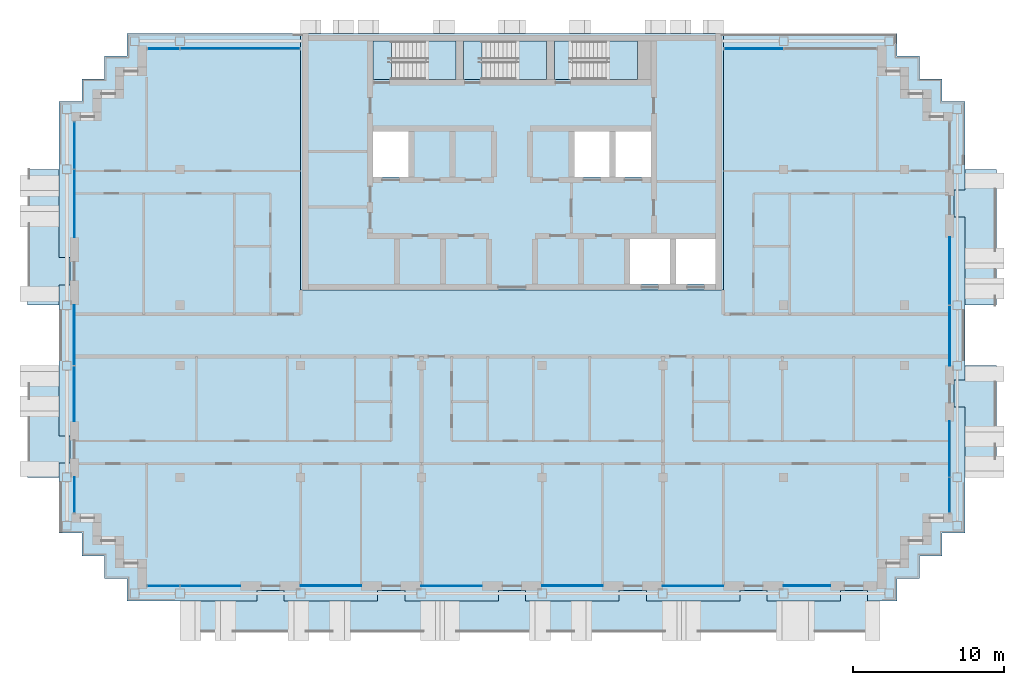
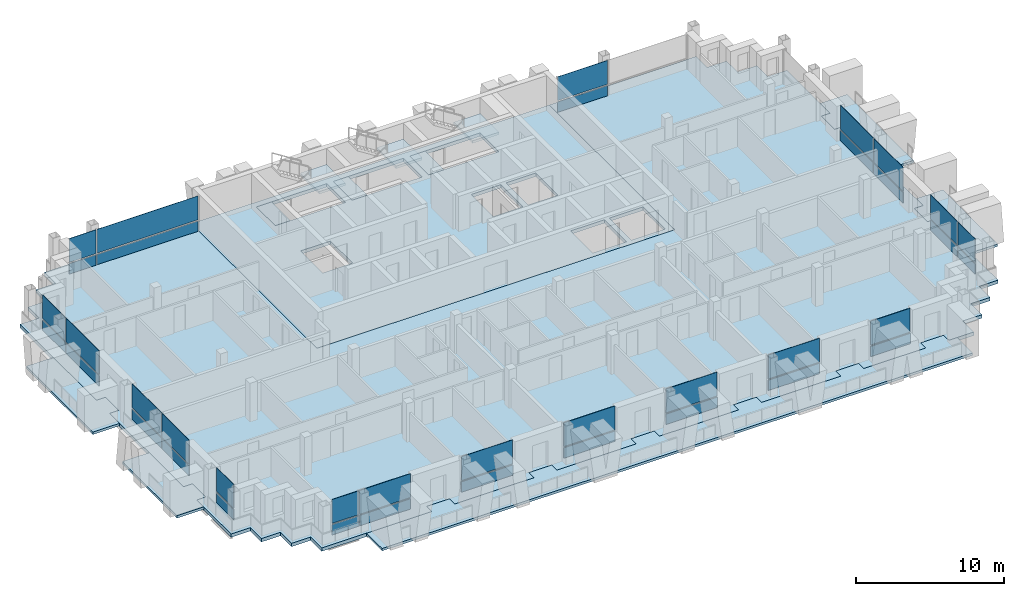
# One storey, part 6 of 15: 38 plates, 13 slabs, 16 elements without a shape of their own.
"""IFC4 building model written with IfcOpenShell, lengths in metres."""

from ifc_helpers import new_model, si_unit, direction, frame, origin, origin_2d, place, context, subcontext, project, spatial, polyline, rectangle, outline, extrude, material, layer, layer_set, type_object, element, aggregate, save


model = new_model("IFC4")

# Units and contexts
model_context = context("Model", 3, precision=1e-05, world=origin(), true_north=direction((0.0, 1.0)))
body_context = subcontext(model_context, "Body", "Model", "MODEL_VIEW")
ifc_project = project(units=[si_unit("LENGTHUNIT", "METRE"), si_unit("AREAUNIT", "SQUARE_METRE"), si_unit("VOLUMEUNIT", "CUBIC_METRE"), si_unit("PLANEANGLEUNIT", "RADIAN"), si_unit("MASSUNIT", "GRAM", prefix="KILO")], contexts=[model_context])

# Site, building, storey
site_placement = place(None, origin())
site = spatial("IfcSite", under=ifc_project, at=site_placement, CompositionType="ELEMENT")
building_placement = place(site_placement, origin())
building = spatial("IfcBuilding", under=site, at=building_placement, Name="Vidyagriha Tower", CompositionType="ELEMENT")
storey_placement = place(building_placement, frame((0.0, 0.0, 226.800048828125)))
storey = spatial("IfcBuildingStorey", under=building, at=storey_placement, Name="L59", CompositionType="ELEMENT", Elevation=226.800048828125)

# Curtain wall, plate
ifc_material_1 = material(Name="Aluminium and glass curtain wall", Category="aluminium")
curtain_wall_type = type_object("IfcCurtainWallType", Name="Dwelling skin unitised curtain wall", PredefinedType="USERDEFINED", material=ifc_material_1)
curtain_wall_1_placement = place(storey_placement, origin())
curtain_wall_1 = element("IfcCurtainWall", 1, at=curtain_wall_1_placement, inside=storey, type_object=curtain_wall_type, Name="CW1 dwelling skin", ObjectType="UNITISED", PredefinedType="USERDEFINED")
ifc_material_2 = material(Name="Glass dark ceramic-fritted spandrel", Category="glass")
ifc_layer_1 = layer(ifc_material_2, 0.0400390625)
ifc_layer_set_1 = layer_set([ifc_layer_1], Name="Glass dark ceramic-fritted spandrel")
plate_type_1 = type_object("IfcPlateType", Name="Ceramic-fritted spandrel panel", PredefinedType="CURTAIN_PANEL", material=ifc_layer_set_1)
plate_1_placement = place(storey_placement, frame((-18.017578125, 19.0, 0.0), z_axis=(0.0, 0.0, 1.0), x_axis=(-1.0, 0.0, 0.0)))
plate_1 = element("IfcPlate", 2, at=plate_1_placement, type_object=plate_type_1, Name="CW1 panel 1.1", PredefinedType="CURTAIN_PANEL", context=body_context, shape_type="SweptSolid", body=[
    extrude(rectangle(XDim=7.89501953125, YDim=0.0400390625, at=origin_2d()), origin(), (0.0, 0.0, 1.0), 0.85009765625),
])

# Curtain wall, plates
curtain_wall_2_placement = place(storey_placement, origin())
curtain_wall_2 = element("IfcCurtainWall", 3, at=curtain_wall_2_placement, inside=storey, type_object=curtain_wall_type, Name="CW1 dwelling skin", ObjectType="UNITISED", PredefinedType="USERDEFINED")
plate_2_placement = place(storey_placement, frame((-29.0, 12.58251953125, 0.0), z_axis=(0.0, 0.0, 1.0), x_axis=(0.0, -1.0, 0.0)))
plate_2 = element("IfcPlate", 4, at=plate_2_placement, type_object=plate_type_1, Name="CW1 panel 1.1", PredefinedType="CURTAIN_PANEL", context=body_context, shape_type="SweptSolid", body=[
    extrude(rectangle(XDim=3.094970703125, YDim=0.0400390625, at=origin_2d()), origin(), (0.0, 0.0, 1.0), 0.85009765625),
])
plate_3_placement = place(storey_placement, frame((-29.0, 8.732421875, 0.0), z_axis=(0.0, 0.0, 1.0), x_axis=(0.0, -1.0, 0.0)))
plate_3 = element("IfcPlate", 5, at=plate_3_placement, type_object=plate_type_1, Name="CW1 panel 2.1", PredefinedType="CURTAIN_PANEL", context=body_context, shape_type="SweptSolid", body=[
    extrude(rectangle(XDim=4.465087890625, YDim=0.0400390625, at=origin_2d()), origin(), (0.0, 0.0, 1.0), 0.85009765625),
])

# Curtain wall, plate
curtain_wall_3_placement = place(storey_placement, origin())
curtain_wall_3 = element("IfcCurtainWall", 6, at=curtain_wall_3_placement, inside=storey, type_object=curtain_wall_type, Name="CW1 dwelling skin", ObjectType="UNITISED", PredefinedType="USERDEFINED")
plate_4_placement = place(storey_placement, frame((-29.0, -10.56494140625, 0.0), z_axis=(0.0, 0.0, 1.0), x_axis=(0.0, -1.0, 0.0)))
plate_4 = element("IfcPlate", 7, at=plate_4_placement, type_object=plate_type_1, Name="CW1 panel 1.1", PredefinedType="CURTAIN_PANEL", context=body_context, shape_type="SweptSolid", body=[
    extrude(rectangle(XDim=2.330078125, YDim=0.0400390625, at=origin_2d()), origin(), (0.0, 0.0, 1.0), 0.85009765625),
])

# Curtain wall, plates
curtain_wall_4_placement = place(storey_placement, origin())
curtain_wall_4 = element("IfcCurtainWall", 8, at=curtain_wall_4_placement, inside=storey, type_object=curtain_wall_type, Name="CW1 dwelling skin", ObjectType="UNITISED", PredefinedType="USERDEFINED")
plate_5_placement = place(storey_placement, frame((-23.08251953125, -16.60009765625, 0.0)))
plate_5 = element("IfcPlate", 9, at=plate_5_placement, type_object=plate_type_1, Name="CW1 panel 1.1", PredefinedType="CURTAIN_PANEL", context=body_context, shape_type="SweptSolid", body=[
    extrude(rectangle(XDim=2.094970703125, YDim=0.0400390625, at=origin_2d()), origin(), (0.0, 0.0, 1.0), 0.85009765625),
])
plate_6_placement = place(storey_placement, frame((-19.982421875, -16.60009765625, 0.0)))
plate_6 = element("IfcPlate", 10, at=plate_6_placement, type_object=plate_type_1, Name="CW1 panel 2.1", PredefinedType="CURTAIN_PANEL", context=body_context, shape_type="SweptSolid", body=[
    extrude(rectangle(XDim=3.965087890625, YDim=0.0400390625, at=origin_2d()), origin(), (0.0, 0.0, 1.0), 0.85009765625),
])

# Curtain wall, plate
curtain_wall_5_placement = place(storey_placement, origin())
curtain_wall_5 = element("IfcCurtainWall", 11, at=curtain_wall_5_placement, inside=storey, type_object=curtain_wall_type, Name="CW1 dwelling skin", ObjectType="UNITISED", PredefinedType="USERDEFINED")
plate_7_placement = place(storey_placement, frame((-4.0, -16.60009765625, 0.0)))
plate_7 = element("IfcPlate", 12, at=plate_7_placement, type_object=plate_type_1, Name="CW1 panel 1.1", PredefinedType="CURTAIN_PANEL", context=body_context, shape_type="SweptSolid", body=[
    extrude(rectangle(XDim=4.0, YDim=0.0400390625, at=origin_2d()), origin(), (0.0, 0.0, 1.0), 0.85009765625),
])

curtain_wall_6_placement = place(storey_placement, origin())
curtain_wall_6 = element("IfcCurtainWall", 13, at=curtain_wall_6_placement, inside=storey, type_object=curtain_wall_type, Name="CW1 dwelling skin", ObjectType="UNITISED", PredefinedType="USERDEFINED")
plate_8_placement = place(storey_placement, frame((12.0, -16.60009765625, 0.0)))
plate_8 = element("IfcPlate", 14, at=plate_8_placement, type_object=plate_type_1, Name="CW1 panel 1.1", PredefinedType="CURTAIN_PANEL", context=body_context, shape_type="SweptSolid", body=[
    extrude(rectangle(XDim=4.0, YDim=0.0400390625, at=origin_2d()), origin(), (0.0, 0.0, 1.0), 0.85009765625),
])

# Curtain wall, plates
curtain_wall_7_placement = place(storey_placement, origin())
curtain_wall_7 = element("IfcCurtainWall", 15, at=curtain_wall_7_placement, inside=storey, type_object=curtain_wall_type, Name="CW1 dwelling skin", ObjectType="UNITISED", PredefinedType="USERDEFINED")
plate_9_placement = place(storey_placement, frame((29.0, -10.58251953125, 0.0), z_axis=(0.0, 0.0, 1.0), x_axis=(0.0, 1.0, 0.0)))
plate_9 = element("IfcPlate", 16, at=plate_9_placement, type_object=plate_type_1, Name="CW1 panel 1.1", PredefinedType="CURTAIN_PANEL", context=body_context, shape_type="SweptSolid", body=[
    extrude(rectangle(XDim=2.294921875, YDim=0.0400390625, at=origin_2d()), origin(), (0.0, 0.0, 1.0), 0.85009765625),
])
plate_10_placement = place(storey_placement, frame((29.0, -7.532470703125, 0.0), z_axis=(0.0, 0.0, 1.0), x_axis=(0.0, 1.0, 0.0)))
plate_10 = element("IfcPlate", 17, at=plate_10_placement, type_object=plate_type_1, Name="CW1 panel 2.1", PredefinedType="CURTAIN_PANEL", context=body_context, shape_type="SweptSolid", body=[
    extrude(rectangle(XDim=3.6650390625, YDim=0.0400390625, at=origin_2d()), origin(), (0.0, 0.0, 1.0), 0.85009765625),
])

# Slab
ifc_material_3 = material(Name="Concrete C60/75", Category="concrete")
ifc_layer_2 = layer(ifc_material_3, 0.280029296875)
ifc_layer_set_2 = layer_set([ifc_layer_2], Name="Concrete C60/75")
slab_type_1 = type_object("IfcSlabType", Name="Core floor slab 280 mm", PredefinedType="FLOOR", material=ifc_layer_set_2)
slab_1_placement = place(storey_placement, frame((0.0, 0.0, -0.280029296875)))
element("IfcSlab", 18, at=slab_1_placement, inside=storey, type_object=slab_type_1, Name="L59 core floor 1", PredefinedType="FLOOR", context=body_context, shape_type="SweptSolid", body=[
    extrude(outline(polyline([(-14.0, 3.0), (-14.0, 20.0), (14.0, 20.0), (14.0, 3.0), (-14.0, 3.0)]), holes=[polyline([(13.5, 6.39990234375), (10.855712890625, 6.39990234375), (10.855712890625, 3.39990234375), (13.5, 3.39990234375), (13.5, 6.39990234375)]), polyline([(10.45556640625, 6.39990234375), (7.81103515625, 6.39990234375), (7.81103515625, 3.39990234375), (10.45556640625, 3.39990234375), (10.45556640625, 6.39990234375)]), polyline([(9.199951171875, 13.5), (6.86669921875, 13.5), (6.86669921875, 10.5), (9.199951171875, 10.5), (9.199951171875, 13.5)]), polyline([(2.800048828125, 19.5), (2.800048828125, 16.949951171875), (4.0, 16.949951171875), (8.300048828125, 16.949951171875), (8.300048828125, 19.5), (4.0, 19.5), (2.800048828125, 19.5)]), polyline([(4.13330078125, 13.5), (4.13330078125, 10.5), (6.466796875, 10.5), (6.466796875, 13.5), (4.13330078125, 13.5)]), polyline([(-2.0, 19.5), (-3.199951171875, 19.5), (-3.199951171875, 16.949951171875), (-2.0, 16.949951171875), (2.300048828125, 16.949951171875), (2.300048828125, 19.5), (-2.0, 19.5)]), polyline([(-9.199951171875, 19.5), (-9.199951171875, 16.949951171875), (-8.0, 16.949951171875), (-3.699951171875, 16.949951171875), (-3.699951171875, 19.5), (-8.0, 19.5), (-9.199951171875, 19.5)]), polyline([(-9.199951171875, 13.5), (-9.199951171875, 10.5), (-6.86669921875, 10.5), (-6.86669921875, 13.5), (-9.199951171875, 13.5)])]), origin(), (0.0, 0.0, 1.0), 0.280029296875),
])

# Curtain wall, plate
curtain_wall_8_placement = place(storey_placement, origin())
curtain_wall_8 = element("IfcCurtainWall", 19, at=curtain_wall_8_placement, inside=storey, type_object=curtain_wall_type, Name="CW1 dwelling skin", ObjectType="UNITISED", PredefinedType="USERDEFINED")
ifc_material_4 = material(Name="Glass dark ceramic-fritted", Category="glass")
ifc_layer_3 = layer(ifc_material_4, 0.028076171875)
ifc_layer_set_3 = layer_set([ifc_layer_3], Name="Glass dark ceramic-fritted")
plate_type_2 = type_object("IfcPlateType", Name="Dark ceramic-fritted vision glass panel", PredefinedType="CURTAIN_PANEL", material=ifc_layer_set_3)
plate_11_placement = place(storey_placement, frame((16.017578125, 19.0, 0.9501953125), z_axis=(0.0, 0.0, 1.0), x_axis=(-1.0, 0.0, 0.0)))
plate_11 = element("IfcPlate", 20, at=plate_11_placement, type_object=plate_type_2, Name="CW1 panel 2.2", PredefinedType="CURTAIN_PANEL", context=body_context, shape_type="SweptSolid", body=[
    extrude(rectangle(XDim=3.89501953125, YDim=0.028076171875, at=origin_2d()), origin(), (0.0, 0.0, 1.0), 1.969970703125),
])

# Plate
plate_12_placement = place(storey_placement, frame((-18.017578125, 19.0, 0.9501953125), z_axis=(0.0, 0.0, 1.0), x_axis=(-1.0, 0.0, 0.0)))
plate_12 = element("IfcPlate", 21, at=plate_12_placement, type_object=plate_type_2, Name="CW1 panel 1.2", PredefinedType="CURTAIN_PANEL", context=body_context, shape_type="SweptSolid", body=[
    extrude(rectangle(XDim=7.89501953125, YDim=0.028076171875, at=origin_2d()), origin(), (0.0, 0.0, 1.0), 1.969970703125),
])

plate_13_placement = place(storey_placement, frame((-23.08251953125, 19.0, 0.9501953125), z_axis=(0.0, 0.0, 1.0), x_axis=(-1.0, 0.0, 0.0)))
plate_13 = element("IfcPlate", 22, at=plate_13_placement, type_object=plate_type_2, Name="CW1 panel 2.2", PredefinedType="CURTAIN_PANEL", context=body_context, shape_type="SweptSolid", body=[
    extrude(rectangle(XDim=2.094970703125, YDim=0.028076171875, at=origin_2d()), origin(), (0.0, 0.0, 1.0), 1.969970703125),
])

plate_14_placement = place(storey_placement, frame((-29.0, 12.58251953125, 0.9501953125), z_axis=(0.0, 0.0, 1.0), x_axis=(0.0, -1.0, 0.0)))
plate_14 = element("IfcPlate", 23, at=plate_14_placement, type_object=plate_type_2, Name="CW1 panel 1.2", PredefinedType="CURTAIN_PANEL", context=body_context, shape_type="SweptSolid", body=[
    extrude(rectangle(XDim=3.094970703125, YDim=0.028076171875, at=origin_2d()), origin(), (0.0, 0.0, 1.0), 1.969970703125),
])

plate_15_placement = place(storey_placement, frame((-29.0, 8.732421875, 0.9501953125), z_axis=(0.0, 0.0, 1.0), x_axis=(0.0, -1.0, 0.0)))
plate_15 = element("IfcPlate", 24, at=plate_15_placement, type_object=plate_type_2, Name="CW1 panel 2.2", PredefinedType="CURTAIN_PANEL", context=body_context, shape_type="SweptSolid", body=[
    extrude(rectangle(XDim=4.465087890625, YDim=0.028076171875, at=origin_2d()), origin(), (0.0, 0.0, 1.0), 1.969970703125),
])

aggregate(curtain_wall_2, [plate_2, plate_14, plate_3, plate_15])

# Curtain wall, plates
curtain_wall_9_placement = place(storey_placement, origin())
curtain_wall_9 = element("IfcCurtainWall", 25, at=curtain_wall_9_placement, inside=storey, type_object=curtain_wall_type, Name="CW1 dwelling skin", ObjectType="UNITISED", PredefinedType="USERDEFINED")
plate_16_placement = place(storey_placement, frame((-29.0, 0.017578125, 0.9501953125), z_axis=(0.0, 0.0, 1.0), x_axis=(0.0, -1.0, 0.0)))
plate_16 = element("IfcPlate", 26, at=plate_16_placement, type_object=plate_type_2, Name="CW1 panel 1.2", PredefinedType="CURTAIN_PANEL", context=body_context, shape_type="SweptSolid", body=[
    extrude(rectangle(XDim=3.965087890625, YDim=0.028076171875, at=origin_2d()), origin(), (0.0, 0.0, 1.0), 1.969970703125),
])
plate_17_placement = place(storey_placement, frame((-29.0, -3.867431640625, 0.9501953125), z_axis=(0.0, 0.0, 1.0), x_axis=(0.0, -1.0, 0.0)))
plate_17 = element("IfcPlate", 27, at=plate_17_placement, type_object=plate_type_2, Name="CW1 panel 2.2", PredefinedType="CURTAIN_PANEL", context=body_context, shape_type="SweptSolid", body=[
    extrude(rectangle(XDim=3.6650390625, YDim=0.028076171875, at=origin_2d()), origin(), (0.0, 0.0, 1.0), 1.969970703125),
])

# Plate
plate_18_placement = place(storey_placement, frame((-29.0, -10.56494140625, 0.9501953125), z_axis=(0.0, 0.0, 1.0), x_axis=(0.0, -1.0, 0.0)))
plate_18 = element("IfcPlate", 28, at=plate_18_placement, type_object=plate_type_2, Name="CW1 panel 1.2", PredefinedType="CURTAIN_PANEL", context=body_context, shape_type="SweptSolid", body=[
    extrude(rectangle(XDim=2.330078125, YDim=0.028076171875, at=origin_2d()), origin(), (0.0, 0.0, 1.0), 1.969970703125),
])

aggregate(curtain_wall_3, [plate_4, plate_18])

plate_19_placement = place(storey_placement, frame((-23.08251953125, -16.60009765625, 0.9501953125)))
plate_19 = element("IfcPlate", 29, at=plate_19_placement, type_object=plate_type_2, Name="CW1 panel 1.2", PredefinedType="CURTAIN_PANEL", context=body_context, shape_type="SweptSolid", body=[
    extrude(rectangle(XDim=2.094970703125, YDim=0.028076171875, at=origin_2d()), origin(), (0.0, 0.0, 1.0), 1.969970703125),
])

plate_20_placement = place(storey_placement, frame((-19.982421875, -16.60009765625, 0.9501953125)))
plate_20 = element("IfcPlate", 30, at=plate_20_placement, type_object=plate_type_2, Name="CW1 panel 2.2", PredefinedType="CURTAIN_PANEL", context=body_context, shape_type="SweptSolid", body=[
    extrude(rectangle(XDim=3.965087890625, YDim=0.028076171875, at=origin_2d()), origin(), (0.0, 0.0, 1.0), 1.969970703125),
])

aggregate(curtain_wall_4, [plate_5, plate_19, plate_6, plate_20])

# Curtain wall, plate
curtain_wall_10_placement = place(storey_placement, origin())
curtain_wall_10 = element("IfcCurtainWall", 31, at=curtain_wall_10_placement, inside=storey, type_object=curtain_wall_type, Name="CW1 dwelling skin", ObjectType="UNITISED", PredefinedType="USERDEFINED")
plate_21_placement = place(storey_placement, frame((-12.0, -16.60009765625, 0.9501953125)))
plate_21 = element("IfcPlate", 32, at=plate_21_placement, type_object=plate_type_2, Name="CW1 panel 1.2", PredefinedType="CURTAIN_PANEL", context=body_context, shape_type="SweptSolid", body=[
    extrude(rectangle(XDim=4.0, YDim=0.028076171875, at=origin_2d()), origin(), (0.0, 0.0, 1.0), 1.969970703125),
])

# Plate
plate_22_placement = place(storey_placement, frame((-4.0, -16.60009765625, 0.9501953125)))
plate_22 = element("IfcPlate", 33, at=plate_22_placement, type_object=plate_type_2, Name="CW1 panel 1.2", PredefinedType="CURTAIN_PANEL", context=body_context, shape_type="SweptSolid", body=[
    extrude(rectangle(XDim=4.0, YDim=0.028076171875, at=origin_2d()), origin(), (0.0, 0.0, 1.0), 1.969970703125),
])

aggregate(curtain_wall_5, [plate_7, plate_22])

# Curtain wall, plate
curtain_wall_11_placement = place(storey_placement, origin())
curtain_wall_11 = element("IfcCurtainWall", 34, at=curtain_wall_11_placement, inside=storey, type_object=curtain_wall_type, Name="CW1 dwelling skin", ObjectType="UNITISED", PredefinedType="USERDEFINED")
plate_23_placement = place(storey_placement, frame((4.0, -16.60009765625, 0.9501953125)))
plate_23 = element("IfcPlate", 35, at=plate_23_placement, type_object=plate_type_2, Name="CW1 panel 1.2", PredefinedType="CURTAIN_PANEL", context=body_context, shape_type="SweptSolid", body=[
    extrude(rectangle(XDim=4.0, YDim=0.028076171875, at=origin_2d()), origin(), (0.0, 0.0, 1.0), 1.969970703125),
])

# Plate
plate_24_placement = place(storey_placement, frame((12.0, -16.60009765625, 0.9501953125)))
plate_24 = element("IfcPlate", 36, at=plate_24_placement, type_object=plate_type_2, Name="CW1 panel 1.2", PredefinedType="CURTAIN_PANEL", context=body_context, shape_type="SweptSolid", body=[
    extrude(rectangle(XDim=4.0, YDim=0.028076171875, at=origin_2d()), origin(), (0.0, 0.0, 1.0), 1.969970703125),
])

aggregate(curtain_wall_6, [plate_8, plate_24])

# Curtain wall, plate
curtain_wall_12_placement = place(storey_placement, origin())
curtain_wall_12 = element("IfcCurtainWall", 37, at=curtain_wall_12_placement, inside=storey, type_object=curtain_wall_type, Name="CW1 dwelling skin", ObjectType="UNITISED", PredefinedType="USERDEFINED")
plate_25_placement = place(storey_placement, frame((19.550048828125, -16.60009765625, 0.9501953125)))
plate_25 = element("IfcPlate", 38, at=plate_25_placement, type_object=plate_type_2, Name="CW1 panel 1.2", PredefinedType="CURTAIN_PANEL", context=body_context, shape_type="SweptSolid", body=[
    extrude(rectangle(XDim=3.10009765625, YDim=0.028076171875, at=origin_2d()), origin(), (0.0, 0.0, 1.0), 1.969970703125),
])

# Plate
plate_26_placement = place(storey_placement, frame((29.0, -10.58251953125, 0.9501953125), z_axis=(0.0, 0.0, 1.0), x_axis=(0.0, 1.0, 0.0)))
plate_26 = element("IfcPlate", 39, at=plate_26_placement, type_object=plate_type_2, Name="CW1 panel 1.2", PredefinedType="CURTAIN_PANEL", context=body_context, shape_type="SweptSolid", body=[
    extrude(rectangle(XDim=2.294921875, YDim=0.028076171875, at=origin_2d()), origin(), (0.0, 0.0, 1.0), 1.969970703125),
])

plate_27_placement = place(storey_placement, frame((29.0, -7.532470703125, 0.9501953125), z_axis=(0.0, 0.0, 1.0), x_axis=(0.0, 1.0, 0.0)))
plate_27 = element("IfcPlate", 40, at=plate_27_placement, type_object=plate_type_2, Name="CW1 panel 2.2", PredefinedType="CURTAIN_PANEL", context=body_context, shape_type="SweptSolid", body=[
    extrude(rectangle(XDim=3.6650390625, YDim=0.028076171875, at=origin_2d()), origin(), (0.0, 0.0, 1.0), 1.969970703125),
])

aggregate(curtain_wall_7, [plate_9, plate_26, plate_10, plate_27])

# Curtain wall, plates
curtain_wall_13_placement = place(storey_placement, origin())
curtain_wall_13 = element("IfcCurtainWall", 41, at=curtain_wall_13_placement, inside=storey, type_object=curtain_wall_type, Name="CW1 dwelling skin", ObjectType="UNITISED", PredefinedType="USERDEFINED")
plate_28_placement = place(storey_placement, frame((29.0, -0.017578125, 0.9501953125), z_axis=(0.0, 0.0, 1.0), x_axis=(0.0, 1.0, 0.0)))
plate_28 = element("IfcPlate", 42, at=plate_28_placement, type_object=plate_type_2, Name="CW1 panel 1.2", PredefinedType="CURTAIN_PANEL", context=body_context, shape_type="SweptSolid", body=[
    extrude(rectangle(XDim=3.965087890625, YDim=0.028076171875, at=origin_2d()), origin(), (0.0, 0.0, 1.0), 1.969970703125),
])
plate_29_placement = place(storey_placement, frame((29.0, 4.267578125, 0.9501953125), z_axis=(0.0, 0.0, 1.0), x_axis=(0.0, 1.0, 0.0)))
plate_29 = element("IfcPlate", 43, at=plate_29_placement, type_object=plate_type_2, Name="CW1 panel 2.2", PredefinedType="CURTAIN_PANEL", context=body_context, shape_type="SweptSolid", body=[
    extrude(rectangle(XDim=4.465087890625, YDim=0.028076171875, at=origin_2d()), origin(), (0.0, 0.0, 1.0), 1.969970703125),
])

# Slabs
ifc_material_5 = material(Name="Concrete C40/50", Category="concrete")
ifc_layer_4 = layer(ifc_material_5, 0.280029296875)
ifc_layer_set_4 = layer_set([ifc_layer_4], Name="Concrete C40/50")
slab_type_2 = type_object("IfcSlabType", Name="Exit stair floor landing 280 mm", PredefinedType="LANDING", material=ifc_layer_set_4)
slab_2_placement = place(storey_placement, frame((0.0, 0.0, -0.280029296875)))
element("IfcSlab", 44, at=slab_2_placement, inside=storey, type_object=slab_type_2, Name="ST1 floor landing L59", PredefinedType="LANDING", context=body_context, shape_type="SweptSolid", body=[
    extrude(outline(polyline([(-9.199951171875, 16.949951171875), (-8.0, 16.949951171875), (-8.0, 19.5), (-9.199951171875, 19.5), (-9.199951171875, 16.949951171875)])), origin(), (0.0, 0.0, 1.0), 0.280029296875),
])
slab_3_placement = place(storey_placement, frame((0.0, 0.0, -0.280029296875)))
element("IfcSlab", 45, at=slab_3_placement, inside=storey, type_object=slab_type_2, Name="ST2 floor landing L59", PredefinedType="LANDING", context=body_context, shape_type="SweptSolid", body=[
    extrude(outline(polyline([(-3.199951171875, 16.949951171875), (-2.0, 16.949951171875), (-2.0, 19.5), (-3.199951171875, 19.5), (-3.199951171875, 16.949951171875)])), origin(), (0.0, 0.0, 1.0), 0.280029296875),
])
slab_4_placement = place(storey_placement, frame((0.0, 0.0, -0.280029296875)))
element("IfcSlab", 46, at=slab_4_placement, inside=storey, type_object=slab_type_2, Name="ST3 floor landing L59", PredefinedType="LANDING", context=body_context, shape_type="SweptSolid", body=[
    extrude(outline(polyline([(2.800048828125, 16.949951171875), (4.0, 16.949951171875), (4.0, 19.5), (2.800048828125, 19.5), (2.800048828125, 16.949951171875)])), origin(), (0.0, 0.0, 1.0), 0.280029296875),
])

# Stair, slab
ifc_material_6 = material(Name="Concrete C40/50", Category="concrete")
stair_type = type_object("IfcStairType", Name="Exit stair, half-turn, precast flights", PredefinedType="HALF_TURN_STAIR", material=ifc_material_6)
stair_1_placement = place(storey_placement, origin())
stair_1 = element("IfcStair", 47, at=stair_1_placement, inside=storey, type_object=stair_type, Name="L59 Exit Stair ST1", PredefinedType="HALF_TURN_STAIR")
ifc_material_7 = material(Name="Concrete C40/50", Category="concrete")
ifc_layer_5 = layer(ifc_material_7, 0.199951171875)
ifc_layer_set_5 = layer_set([ifc_layer_5], Name="Concrete C40/50")
slab_type_3 = type_object("IfcSlabType", Name="Exit stair landing 200 mm", PredefinedType="LANDING", material=ifc_layer_set_5)
slab_5_placement = place(storey_placement, frame((0.0, 0.0, 1.39990234375)))
slab_5 = element("IfcSlab", 48, at=slab_5_placement, type_object=slab_type_3, Name="ST1 landing 1", PredefinedType="LANDING", context=body_context, shape_type="SweptSolid", body=[
    extrude(outline(polyline([(-5.760009765625, 16.949951171875), (-3.699951171875, 16.949951171875), (-3.699951171875, 19.5), (-5.760009765625, 19.5), (-5.760009765625, 16.949951171875)])), origin(), (0.0, 0.0, 1.0), 0.199951171875),
])
aggregate(stair_1, [slab_5])

stair_2_placement = place(storey_placement, origin())
stair_2 = element("IfcStair", 49, at=stair_2_placement, inside=storey, type_object=stair_type, Name="L59 Exit Stair ST2", PredefinedType="HALF_TURN_STAIR")
slab_6_placement = place(storey_placement, frame((0.0, 0.0, 1.39990234375)))
slab_6 = element("IfcSlab", 50, at=slab_6_placement, type_object=slab_type_3, Name="ST2 landing 1", PredefinedType="LANDING", context=body_context, shape_type="SweptSolid", body=[
    extrude(outline(polyline([(0.239990234375, 16.949951171875), (2.300048828125, 16.949951171875), (2.300048828125, 19.5), (0.239990234375, 19.5), (0.239990234375, 16.949951171875)])), origin(), (0.0, 0.0, 1.0), 0.199951171875),
])
aggregate(stair_2, [slab_6])

stair_3_placement = place(storey_placement, origin())
stair_3 = element("IfcStair", 51, at=stair_3_placement, inside=storey, type_object=stair_type, Name="L59 Exit Stair ST3", PredefinedType="HALF_TURN_STAIR")
slab_7_placement = place(storey_placement, frame((0.0, 0.0, 1.39990234375)))
slab_7 = element("IfcSlab", 52, at=slab_7_placement, type_object=slab_type_3, Name="ST3 landing 1", PredefinedType="LANDING", context=body_context, shape_type="SweptSolid", body=[
    extrude(outline(polyline([(6.239990234375, 16.949951171875), (8.300048828125, 16.949951171875), (8.300048828125, 19.5), (6.239990234375, 19.5), (6.239990234375, 16.949951171875)])), origin(), (0.0, 0.0, 1.0), 0.199951171875),
])
aggregate(stair_3, [slab_7])

# Plate
ifc_material_8 = material(Name="Aluminium black anodised", Category="aluminium")
ifc_layer_6 = layer(ifc_material_8, 0.06005859375)
ifc_layer_set_6 = layer_set([ifc_layer_6], Name="Aluminium black anodised")
plate_type_3 = type_object("IfcPlateType", Name="Operable black-metal vent panel", PredefinedType="CURTAIN_PANEL", material=ifc_layer_set_6)
plate_30_placement = place(storey_placement, frame((16.017578125, 19.0, 0.0), z_axis=(0.0, 0.0, 1.0), x_axis=(-1.0, 0.0, 0.0)))
plate_30 = element("IfcPlate", 53, at=plate_30_placement, type_object=plate_type_3, Name="CW1 panel 2.1", PredefinedType="CURTAIN_PANEL", context=body_context, shape_type="SweptSolid", body=[
    extrude(rectangle(XDim=3.89501953125, YDim=0.06005859375, at=origin_2d()), origin(), (0.0, 0.0, 1.0), 0.85009765625),
])

aggregate(curtain_wall_8, [plate_30, plate_11])

plate_31_placement = place(storey_placement, frame((-23.08251953125, 19.0, 0.0), z_axis=(0.0, 0.0, 1.0), x_axis=(-1.0, 0.0, 0.0)))
plate_31 = element("IfcPlate", 54, at=plate_31_placement, type_object=plate_type_3, Name="CW1 panel 2.1", PredefinedType="CURTAIN_PANEL", context=body_context, shape_type="SweptSolid", body=[
    extrude(rectangle(XDim=2.094970703125, YDim=0.06005859375, at=origin_2d()), origin(), (0.0, 0.0, 1.0), 0.85009765625),
])

aggregate(curtain_wall_1, [plate_1, plate_12, plate_31, plate_13])

plate_32_placement = place(storey_placement, frame((-29.0, 0.017578125, 0.0), z_axis=(0.0, 0.0, 1.0), x_axis=(0.0, -1.0, 0.0)))
plate_32 = element("IfcPlate", 55, at=plate_32_placement, type_object=plate_type_3, Name="CW1 panel 1.1", PredefinedType="CURTAIN_PANEL", context=body_context, shape_type="SweptSolid", body=[
    extrude(rectangle(XDim=3.965087890625, YDim=0.06005859375, at=origin_2d()), origin(), (0.0, 0.0, 1.0), 0.85009765625),
])

plate_33_placement = place(storey_placement, frame((-29.0, -3.867431640625, 0.0), z_axis=(0.0, 0.0, 1.0), x_axis=(0.0, -1.0, 0.0)))
plate_33 = element("IfcPlate", 56, at=plate_33_placement, type_object=plate_type_3, Name="CW1 panel 2.1", PredefinedType="CURTAIN_PANEL", context=body_context, shape_type="SweptSolid", body=[
    extrude(rectangle(XDim=3.6650390625, YDim=0.06005859375, at=origin_2d()), origin(), (0.0, 0.0, 1.0), 0.85009765625),
])

aggregate(curtain_wall_9, [plate_32, plate_16, plate_33, plate_17])

plate_34_placement = place(storey_placement, frame((-12.0, -16.60009765625, 0.0)))
plate_34 = element("IfcPlate", 57, at=plate_34_placement, type_object=plate_type_3, Name="CW1 panel 1.1", PredefinedType="CURTAIN_PANEL", context=body_context, shape_type="SweptSolid", body=[
    extrude(rectangle(XDim=4.0, YDim=0.06005859375, at=origin_2d()), origin(), (0.0, 0.0, 1.0), 0.85009765625),
])

aggregate(curtain_wall_10, [plate_34, plate_21])

plate_35_placement = place(storey_placement, frame((4.0, -16.60009765625, 0.0)))
plate_35 = element("IfcPlate", 58, at=plate_35_placement, type_object=plate_type_3, Name="CW1 panel 1.1", PredefinedType="CURTAIN_PANEL", context=body_context, shape_type="SweptSolid", body=[
    extrude(rectangle(XDim=4.0, YDim=0.06005859375, at=origin_2d()), origin(), (0.0, 0.0, 1.0), 0.85009765625),
])

aggregate(curtain_wall_11, [plate_35, plate_23])

plate_36_placement = place(storey_placement, frame((19.550048828125, -16.60009765625, 0.0)))
plate_36 = element("IfcPlate", 59, at=plate_36_placement, type_object=plate_type_3, Name="CW1 panel 1.1", PredefinedType="CURTAIN_PANEL", context=body_context, shape_type="SweptSolid", body=[
    extrude(rectangle(XDim=3.10009765625, YDim=0.06005859375, at=origin_2d()), origin(), (0.0, 0.0, 1.0), 0.85009765625),
])

aggregate(curtain_wall_12, [plate_36, plate_25])

plate_37_placement = place(storey_placement, frame((29.0, -0.017578125, 0.0), z_axis=(0.0, 0.0, 1.0), x_axis=(0.0, 1.0, 0.0)))
plate_37 = element("IfcPlate", 60, at=plate_37_placement, type_object=plate_type_3, Name="CW1 panel 1.1", PredefinedType="CURTAIN_PANEL", context=body_context, shape_type="SweptSolid", body=[
    extrude(rectangle(XDim=3.965087890625, YDim=0.06005859375, at=origin_2d()), origin(), (0.0, 0.0, 1.0), 0.85009765625),
])

plate_38_placement = place(storey_placement, frame((29.0, 4.267578125, 0.0), z_axis=(0.0, 0.0, 1.0), x_axis=(0.0, 1.0, 0.0)))
plate_38 = element("IfcPlate", 61, at=plate_38_placement, type_object=plate_type_3, Name="CW1 panel 2.1", PredefinedType="CURTAIN_PANEL", context=body_context, shape_type="SweptSolid", body=[
    extrude(rectangle(XDim=4.465087890625, YDim=0.06005859375, at=origin_2d()), origin(), (0.0, 0.0, 1.0), 0.85009765625),
])

aggregate(curtain_wall_13, [plate_37, plate_28, plate_38, plate_29])

# Slabs
ifc_material_9 = material(Name="Concrete C50/60", Category="concrete")
ifc_layer_7 = layer(ifc_material_9, 0.280029296875)
ifc_layer_set_7 = layer_set([ifc_layer_7], Name="Concrete C50/60")
slab_type_4 = type_object("IfcSlabType", Name="Post-tensioned flat plate 280", PredefinedType="FLOOR", material=ifc_layer_set_7)
slab_8_placement = place(storey_placement, frame((0.0, 0.0, -0.280029296875)))
element("IfcSlab", 62, at=slab_8_placement, inside=storey, type_object=slab_type_4, Name="st-slab-L59-1", PredefinedType="FLOOR", context=body_context, shape_type="SweptSolid", body=[
    extrude(outline(polyline([(28.5, -14.60009765625), (27.0, -14.60009765625), (27.0, -16.10009765625), (25.5, -16.10009765625), (25.5, -17.60009765625), (23.550048828125, -17.60009765625), (23.550048828125, -16.89990234375), (21.75, -16.89990234375), (21.75, -17.60009765625), (16.89990234375, -17.60009765625), (16.89990234375, -16.89990234375), (15.10009765625, -16.89990234375), (15.10009765625, -17.60009765625), (8.89990234375, -17.60009765625), (8.89990234375, -16.89990234375), (7.10009765625, -16.89990234375), (7.10009765625, -17.60009765625), (0.89990234375, -17.60009765625), (0.89990234375, -16.89990234375), (-0.89990234375, -16.89990234375), (-0.89990234375, -17.60009765625), (-7.10009765625, -17.60009765625), (-7.10009765625, -16.89990234375), (-8.89990234375, -16.89990234375), (-8.89990234375, -17.60009765625), (-15.10009765625, -17.60009765625), (-15.10009765625, -16.89990234375), (-16.89990234375, -16.89990234375), (-16.89990234375, -17.60009765625), (-25.5, -17.60009765625), (-25.5, -16.10009765625), (-27.0, -16.10009765625), (-27.0, -14.60009765625), (-28.5, -14.60009765625), (-28.5, -13.10009765625), (-30.0, -13.10009765625), (-30.0, -8.449951171875), (-29.300048828125, -8.449951171875), (-29.300048828125, -6.64990234375), (-30.0, -6.64990234375), (-30.0, 3.35009765625), (-29.300048828125, 3.35009765625), (-29.300048828125, 5.14990234375), (-30.0, 5.14990234375), (-30.0, 15.5), (-28.5, 15.5), (-28.5, 17.0), (-27.0, 17.0), (-27.0, 18.5), (-25.5, 18.5), (-25.5, 20.0), (-14.0, 20.0), (-14.0, 3.0), (14.0, 3.0), (14.0, 20.0), (25.5, 20.0), (25.5, 18.5), (27.0, 18.5), (27.0, 17.0), (28.5, 17.0), (28.5, 15.5), (30.0, 15.5), (30.0, 9.64990234375), (29.300048828125, 9.64990234375), (29.300048828125, 7.85009765625), (30.0, 7.85009765625), (30.0, -2.949951171875), (29.300048828125, -2.949951171875), (29.300048828125, -4.75), (30.0, -4.75), (30.0, -13.10009765625), (28.5, -13.10009765625), (28.5, -14.60009765625)])), origin(), (0.0, 0.0, 1.0), 0.280029296875),
])
ifc_material_10 = material(Name="Precast concrete C40/50", Category="concrete")
ifc_layer_8 = layer(ifc_material_10, 0.199951171875)
ifc_layer_set_8 = layer_set([ifc_layer_8], Name="Precast concrete C40/50")
slab_type_5 = type_object("IfcSlabType", Name="Precast balcony slab 200", PredefinedType="USERDEFINED", material=ifc_layer_set_8)
slab_9_placement = place(storey_placement, frame((0.0, 0.0, -0.199951171875)))
element("IfcSlab", 63, at=slab_9_placement, inside=storey, type_object=slab_type_5, Name="Balcony slab L59 R16.1-1", ObjectType="BALCONY", PredefinedType="USERDEFINED", context=body_context, shape_type="SweptSolid", body=[
    extrude(outline(polyline([(-29.300048828125, 3.35009765625), (-29.300048828125, 5.14990234375), (-30.0, 5.14990234375), (-30.0, 11.0), (-32.10009765625, 11.0), (-32.10009765625, 2.0), (-30.0, 2.0), (-30.0, 3.35009765625), (-29.300048828125, 3.35009765625)])), origin(), (0.0, 0.0, 1.0), 0.199951171875),
])
slab_10_placement = place(storey_placement, frame((0.0, 0.0, -0.199951171875)))
element("IfcSlab", 64, at=slab_10_placement, inside=storey, type_object=slab_type_5, Name="Balcony slab L59 R16.2-2", ObjectType="BALCONY", PredefinedType="USERDEFINED", context=body_context, shape_type="SweptSolid", body=[
    extrude(outline(polyline([(-29.300048828125, -8.449951171875), (-29.300048828125, -6.64990234375), (-30.0, -6.64990234375), (-30.0, -2.0), (-32.10009765625, -2.0), (-32.10009765625, -9.39990234375), (-30.0, -9.39990234375), (-30.0, -8.449951171875), (-29.300048828125, -8.449951171875)])), origin(), (0.0, 0.0, 1.0), 0.199951171875),
])
slab_11_placement = place(storey_placement, frame((0.0, 0.0, -0.199951171875)))
element("IfcSlab", 65, at=slab_11_placement, inside=storey, type_object=slab_type_5, Name="Balcony slab L59 R23.1-6", ObjectType="BALCONY", PredefinedType="USERDEFINED", context=body_context, shape_type="SweptSolid", body=[
    extrude(outline(polyline([(-16.89990234375, -16.89990234375), (-16.89990234375, -17.60009765625), (-22.0, -17.60009765625), (-22.0, -19.699951171875), (24.199951171875, -19.699951171875), (24.199951171875, -17.60009765625), (23.550048828125, -17.60009765625), (23.550048828125, -16.89990234375), (21.75, -16.89990234375), (21.75, -17.60009765625), (16.89990234375, -17.60009765625), (16.89990234375, -16.89990234375), (15.10009765625, -16.89990234375), (15.10009765625, -17.60009765625), (8.89990234375, -17.60009765625), (8.89990234375, -16.89990234375), (7.10009765625, -16.89990234375), (7.10009765625, -17.60009765625), (0.89990234375, -17.60009765625), (0.89990234375, -16.89990234375), (-0.89990234375, -16.89990234375), (-0.89990234375, -17.60009765625), (-7.10009765625, -17.60009765625), (-7.10009765625, -16.89990234375), (-8.89990234375, -16.89990234375), (-8.89990234375, -17.60009765625), (-15.10009765625, -17.60009765625), (-15.10009765625, -16.89990234375), (-16.89990234375, -16.89990234375)])), origin(), (0.0, 0.0, 1.0), 0.199951171875),
])
slab_12_placement = place(storey_placement, frame((0.0, 0.0, -0.199951171875)))
element("IfcSlab", 66, at=slab_12_placement, inside=storey, type_object=slab_type_5, Name="Balcony slab L59 R30.1-1", ObjectType="BALCONY", PredefinedType="USERDEFINED", context=body_context, shape_type="SweptSolid", body=[
    extrude(outline(polyline([(30.0, -4.75), (30.0, -9.39990234375), (32.10009765625, -9.39990234375), (32.10009765625, -2.0), (30.0, -2.0), (30.0, -2.949951171875), (29.300048828125, -2.949951171875), (29.300048828125, -4.75), (30.0, -4.75)])), origin(), (0.0, 0.0, 1.0), 0.199951171875),
])
slab_13_placement = place(storey_placement, frame((0.0, 0.0, -0.199951171875)))
element("IfcSlab", 67, at=slab_13_placement, inside=storey, type_object=slab_type_5, Name="Balcony slab L59 R30.2-2", ObjectType="BALCONY", PredefinedType="USERDEFINED", context=body_context, shape_type="SweptSolid", body=[
    extrude(outline(polyline([(30.0, 7.85009765625), (30.0, 2.0), (32.10009765625, 2.0), (32.10009765625, 11.0), (30.0, 11.0), (30.0, 9.64990234375), (29.300048828125, 9.64990234375), (29.300048828125, 7.85009765625), (30.0, 7.85009765625)])), origin(), (0.0, 0.0, 1.0), 0.199951171875),
])

save(model, "model.ifc")
